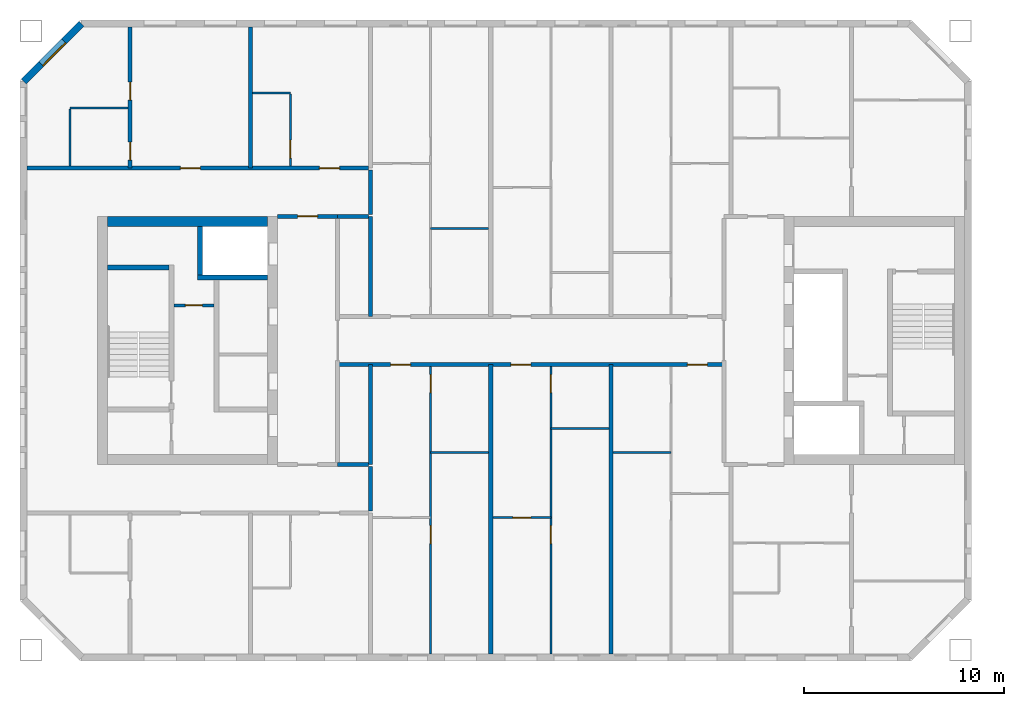
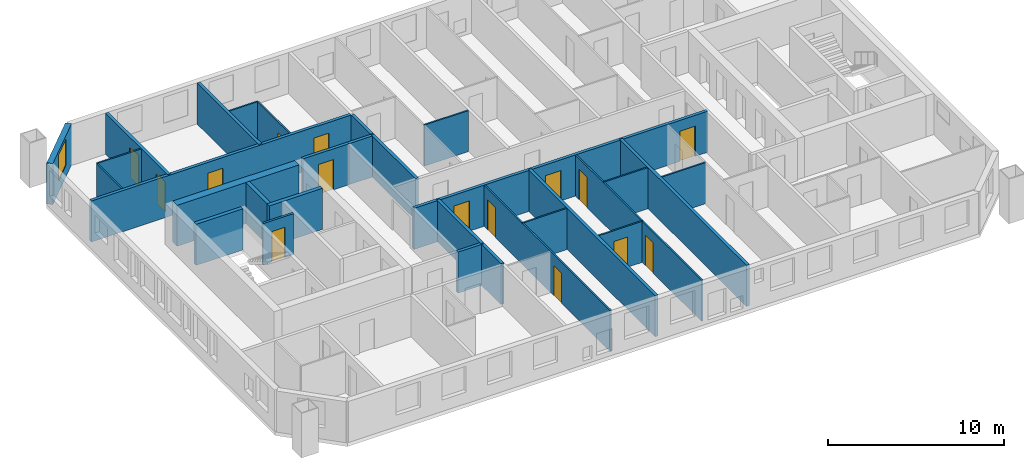
# One storey, part 4 of 15: 30 walls, 15 doors, 1 window, 16 openings.
"""IFC4 building model written with IfcOpenShell, lengths in metres."""

from ifc_helpers import new_model, si_unit, direction, frame, frame_2d, origin, place, context, subcontext, project, spatial, rectangle, extrude, material, layer, layer_set, type_object, element, fill, save


model = new_model("IFC4")

# Units and contexts
model_context = context("Model", 3, precision=1e-05, world=origin(), true_north=direction((0.0, 1.0)))
body_context = subcontext(model_context, "Body", "Model", "MODEL_VIEW")
ifc_project = project(units=[si_unit("LENGTHUNIT", "METRE"), si_unit("AREAUNIT", "SQUARE_METRE"), si_unit("VOLUMEUNIT", "CUBIC_METRE"), si_unit("PLANEANGLEUNIT", "RADIAN"), si_unit("MASSUNIT", "GRAM", prefix="KILO")], contexts=[model_context])

# Site, building, storey
site_placement = place(None, origin())
site = spatial("IfcSite", under=ifc_project, at=site_placement, CompositionType="ELEMENT")
building_placement = place(site_placement, origin())
building = spatial("IfcBuilding", under=site, at=building_placement, Name="Tuart Gate Housing", CompositionType="ELEMENT")
storey_placement = place(building_placement, frame((0.0, 0.0, 160.89990234375)))
storey = spatial("IfcBuildingStorey", under=building, at=storey_placement, Name="L45", CompositionType="ELEMENT", Elevation=160.89990234375)

# Wall, opening, window
ifc_material_1 = material(Name="Brick", Category="masonry")
ifc_layer_1 = layer(ifc_material_1, 0.360107421875)
ifc_layer_set_1 = layer_set([ifc_layer_1], Name="Brick pier and spandrel wall 360")
wall_type_1 = type_object("IfcWallType", Name="Brick pier and spandrel wall 360", PredefinedType="STANDARD", material=ifc_layer_set_1)
wall_1_placement = place(storey_placement, frame((31.57470703125, 85.820068359375, 0.0), z_axis=(0.0, 0.0, 1.0), x_axis=(-0.707106781187, -0.707106781187, 0.0)))
wall_1 = element("IfcWall", 1, at=wall_1_placement, inside=storey, type_object=wall_type_1, Name="External wall A-NW L45", PredefinedType="STANDARD", context=body_context, shape_type="SweptSolid", body=[
    extrude(rectangle(XDim=4.09375, YDim=0.360107421875, at=frame_2d((2.046875, 0.0))), origin(), (0.0, 0.0, 1.0), 2.85009765625),
])
opening_1_placement = place(wall_1_placement, frame((1.2470703125, 0.0, 0.800048828125)))
opening_1 = element("IfcOpeningElement", 2, at=opening_1_placement, cuts=wall_1, Name="Opening W1", PredefinedType="OPENING", context=body_context, shape_type="SweptSolid", body=[
    extrude(rectangle(XDim=1.60009765625, YDim=1.800048828125, at=frame_2d((0.800048828125, 0.89990234375))), frame((0.0, 0.18994140625, 0.0), z_axis=(0.0, -1.0, 0.0), x_axis=(1.0, 0.0, 0.0)), (0.0, 0.0, 1.0), 0.380126953125),
])
ifc_material_2 = material(Name="Aluminium frame with clear glass", Category="aluminium")
window_type = type_object("IfcWindowType", Name="Punched window 1600 x 1800", PartitioningType="SINGLE_PANEL", PredefinedType="WINDOW", material=ifc_material_2)
window_placement = place(opening_1_placement, origin())
window = element("IfcWindow", 3, at=window_placement, inside=storey, type_object=window_type, Name="Window W1", OverallHeight=1.800048828125, OverallWidth=1.60009765625, PartitioningType="SINGLE_PANEL", PredefinedType="WINDOW", context=body_context, shape_type="SweptSolid", body=[
    extrude(rectangle(XDim=1.60009765625, YDim=1.800048828125, at=frame_2d((0.800048828125, 0.89990234375))), frame((0.0, 0.150146484375, 0.0), z_axis=(0.0, -1.0, 0.0), x_axis=(1.0, 0.0, 0.0)), (0.0, 0.0, 1.0), 0.06005859375),
])
fill(opening_1, window)

# Wall, opening, door
ifc_material_3 = material(Name="Plasterboard partition")
ifc_layer_2 = layer(ifc_material_3, 0.14990234375)
ifc_layer_set_2 = layer_set([ifc_layer_2], Name="Core partition 150")
wall_type_2 = type_object("IfcWallType", Name="Core partition 150", PredefinedType="PARTITIONING", material=ifc_layer_set_2)
wall_2_placement = place(storey_placement, frame((38.18505859375, 71.75, 0.0), z_axis=(0.0, 0.0, 1.0), x_axis=(-1.0, 0.0, 0.0)))
wall_2 = element("IfcWall", 4, at=wall_2_placement, inside=storey, type_object=wall_type_2, Name="Core partition AK.3", PredefinedType="PARTITIONING", context=body_context, shape_type="SweptSolid", body=[
    extrude(rectangle(XDim=2.0, YDim=0.14990234375, at=frame_2d((1.0, 0.0))), origin(), (0.0, 0.0, 1.0), 2.85009765625),
])
opening_2_placement = place(wall_2_placement, frame((0.574951171875, 0.0, 0.0)))
opening_2 = element("IfcOpeningElement", 5, at=opening_2_placement, cuts=wall_2, Name="Opening D1644", PredefinedType="OPENING", context=body_context, shape_type="SweptSolid", body=[
    extrude(rectangle(XDim=0.85009765625, YDim=2.10009765625, at=frame_2d((0.425048828125, 1.050048828125))), frame((0.0, 0.0849609375, 0.0), z_axis=(0.0, -1.0, 0.0), x_axis=(1.0, 0.0, 0.0)), (0.0, 0.0, 1.0), 0.169921875),
])
ifc_material_4 = material(Name="Steel fire door", Category="steel")
door_type_1 = type_object("IfcDoorType", Name="Riser door 850 x 2100 RH", OperationType="SINGLE_SWING_RIGHT", PredefinedType="DOOR", material=ifc_material_4)
door_1_placement = place(opening_2_placement, frame((0.85009765625, 0.0, 0.0), z_axis=(0.0, 0.0, 1.0), x_axis=(-1.0, 0.0, 0.0)))
door_1 = element("IfcDoor", 6, at=door_1_placement, inside=storey, type_object=door_type_1, Name="Service room door AK.E1", OperationType="SINGLE_SWING_RIGHT", OverallHeight=2.10009765625, OverallWidth=0.85009765625, PredefinedType="DOOR", context=body_context, shape_type="SweptSolid", body=[
    extrude(rectangle(XDim=0.85009765625, YDim=2.10009765625, at=frame_2d((0.425048828125, 1.050048828125))), frame((0.0, 0.025146484375, 0.0), z_axis=(0.0, -1.0, 0.0), x_axis=(1.0, 0.0, 0.0)), (0.0, 0.0, 1.0), 0.050048828125),
])
fill(opening_2, door_1)

# Walls
ifc_material_5 = material(Name="Concrete C40", Category="concrete")
ifc_layer_3 = layer(ifc_material_5, 0.25)
ifc_layer_set_3 = layer_set([ifc_layer_3], Name="Core wall 250 C40")
wall_type_3 = type_object("IfcWallType", Name="Core wall 250 C40", PredefinedType="SHEAR", material=ifc_layer_set_3)
wall_3_placement = place(storey_placement, frame((35.93505859375, 73.64990234375, 0.0), z_axis=(0.0, 0.0, 1.0), x_axis=(-1.0, 0.0, 0.0)))
element("IfcWall", 7, at=wall_3_placement, inside=storey, type_object=wall_type_3, Name="Core wall AK.1", PredefinedType="SHEAR", context=body_context, shape_type="SweptSolid", body=[
    extrude(rectangle(XDim=3.074951171875, YDim=0.25, at=frame_2d((1.53759765625, 0.0))), origin(), (0.0, 0.0, 1.0), 2.85009765625),
])
wall_4_placement = place(storey_placement, frame((40.860107421875, 73.14990234375, 0.0), z_axis=(0.0, 0.0, 1.0), x_axis=(-1.0, 0.0, 0.0)))
element("IfcWall", 8, at=wall_4_placement, inside=storey, type_object=wall_type_3, Name="Core wall AK.2", PredefinedType="SHEAR", context=body_context, shape_type="SweptSolid", body=[
    extrude(rectangle(XDim=3.4951171875, YDim=0.25, at=frame_2d((1.74755859375, 0.0))), origin(), (0.0, 0.0, 1.0), 2.85009765625),
])
wall_5_placement = place(storey_placement, frame((37.489990234375, 75.699951171875, 0.0), z_axis=(0.0, 0.0, 1.0), x_axis=(0.0, -1.0, 0.0)))
element("IfcWall", 9, at=wall_5_placement, inside=storey, type_object=wall_type_3, Name="Core wall AK.8", PredefinedType="SHEAR", context=body_context, shape_type="SweptSolid", body=[
    extrude(rectangle(XDim=2.425048828125, YDim=0.25, at=frame_2d((1.21240234375, 0.0))), origin(), (0.0, 0.0, 1.0), 2.85009765625),
])
ifc_material_6 = material(Name="Concrete C40", Category="concrete")
ifc_layer_4 = layer(ifc_material_6, 0.5)
ifc_layer_set_4 = layer_set([ifc_layer_4], Name="Core wall 500 C40")
wall_type_4 = type_object("IfcWallType", Name="Core wall 500 C40", PredefinedType="SHEAR", material=ifc_layer_set_4)
wall_6_placement = place(storey_placement, frame((40.860107421875, 75.949951171875, 0.0), z_axis=(0.0, 0.0, 1.0), x_axis=(-1.0, 0.0, 0.0)))
element("IfcWall", 10, at=wall_6_placement, inside=storey, type_object=wall_type_4, Name="Core wall AK south", PredefinedType="SHEAR", context=body_context, shape_type="SweptSolid", body=[
    extrude(rectangle(XDim=8.0, YDim=0.5, at=frame_2d((4.0, 0.0))), origin(), (0.0, 0.0, 1.0), 2.85009765625),
])
ifc_material_7 = material(Name="Concrete masonry 15 MPa", Category="masonry")
ifc_layer_5 = layer(ifc_material_7, 0.199951171875)
ifc_layer_set_5 = layer_set([ifc_layer_5], Name="Corridor wall masonry 200")
wall_type_5 = type_object("IfcWallType", Name="Corridor wall masonry 200", PredefinedType="PARTITIONING", material=ifc_layer_set_5)
wall_7_placement = place(storey_placement, frame((44.360107421875, 63.800048828125, 0.0), z_axis=(0.0, 0.0, 1.0), x_axis=(1.0, 0.0, 0.0)))
element("IfcWall", 11, at=wall_7_placement, inside=storey, type_object=wall_type_5, Name="Corridor wall masonry 200", PredefinedType="PARTITIONING", context=body_context, shape_type="SweptSolid", body=[
    extrude(rectangle(XDim=1.539794921875, YDim=0.199951171875, at=frame_2d((0.77001953125, 0.0))), origin(), (0.0, 0.0, 1.0), 2.85009765625),
])

# Wall, openings, doors
wall_8_placement = place(storey_placement, frame((44.360107421875, 68.800048828125, 0.0), z_axis=(0.0, 0.0, 1.0), x_axis=(1.0, 0.0, 0.0)))
wall_8 = element("IfcWall", 12, at=wall_8_placement, inside=storey, type_object=wall_type_5, Name="Corridor wall masonry 200", PredefinedType="PARTITIONING", context=body_context, shape_type="SweptSolid", body=[
    extrude(rectangle(XDim=19.27978515625, YDim=0.199951171875, at=frame_2d((9.639892578125, 0.0))), origin(), (0.0, 0.0, 1.0), 2.85009765625),
])
opening_3_placement = place(wall_8_placement, frame((17.4599609375, 0.0, 0.0)))
opening_3 = element("IfcOpeningElement", 13, at=opening_3_placement, cuts=wall_8, Name="Opening D1655", PredefinedType="OPENING", context=body_context, shape_type="SweptSolid", body=[
    extrude(rectangle(XDim=1.0, YDim=2.10009765625, at=frame_2d((0.5, 1.050048828125))), frame((0.0, 0.10986328125, 0.0), z_axis=(0.0, -1.0, 0.0), x_axis=(1.0, 0.0, 0.0)), (0.0, 0.0, 1.0), 0.219970703125),
])
opening_4_placement = place(wall_8_placement, frame((8.639892578125, 0.0, 0.0)))
opening_4 = element("IfcOpeningElement", 14, at=opening_4_placement, cuts=wall_8, Name="Opening D1656", PredefinedType="OPENING", context=body_context, shape_type="SweptSolid", body=[
    extrude(rectangle(XDim=1.0, YDim=2.10009765625, at=frame_2d((0.5, 1.050048828125))), frame((0.0, 0.10986328125, 0.0), z_axis=(0.0, -1.0, 0.0), x_axis=(1.0, 0.0, 0.0)), (0.0, 0.0, 1.0), 0.219970703125),
])
opening_5_placement = place(wall_8_placement, frame((2.639892578125, 0.0, 0.0)))
opening_5 = element("IfcOpeningElement", 15, at=opening_5_placement, cuts=wall_8, Name="Opening D1657", PredefinedType="OPENING", context=body_context, shape_type="SweptSolid", body=[
    extrude(rectangle(XDim=1.0, YDim=2.10009765625, at=frame_2d((0.5, 1.050048828125))), frame((0.0, 0.10986328125, 0.0), z_axis=(0.0, -1.0, 0.0), x_axis=(1.0, 0.0, 0.0)), (0.0, 0.0, 1.0), 0.219970703125),
])
ifc_material_8 = material(Name="Timber door leaf in steel frame", Category="steel")
door_type_2 = type_object("IfcDoorType", Name="Flat entrance door 1000 RH", OperationType="SINGLE_SWING_RIGHT", PredefinedType="DOOR", material=ifc_material_8)
door_2_placement = place(opening_3_placement, frame((1.0, 0.0, 0.0), z_axis=(0.0, 0.0, 1.0), x_axis=(-1.0, 0.0, 0.0)))
door_2 = element("IfcDoor", 16, at=door_2_placement, inside=storey, type_object=door_type_2, Name="Flat entrance door", OperationType="SINGLE_SWING_RIGHT", OverallHeight=2.10009765625, OverallWidth=1.0, PredefinedType="DOOR", context=body_context, shape_type="SweptSolid", body=[
    extrude(rectangle(XDim=1.0, YDim=2.10009765625, at=frame_2d((0.5, 1.050048828125))), frame((0.0, 0.025146484375, 0.0), z_axis=(0.0, -1.0, 0.0), x_axis=(1.0, 0.0, 0.0)), (0.0, 0.0, 1.0), 0.050048828125),
])
fill(opening_3, door_2)
door_3_placement = place(opening_4_placement, frame((1.0, 0.0, 0.0), z_axis=(0.0, 0.0, 1.0), x_axis=(-1.0, 0.0, 0.0)))
door_3 = element("IfcDoor", 17, at=door_3_placement, inside=storey, type_object=door_type_2, Name="Flat entrance door", OperationType="SINGLE_SWING_RIGHT", OverallHeight=2.10009765625, OverallWidth=1.0, PredefinedType="DOOR", context=body_context, shape_type="SweptSolid", body=[
    extrude(rectangle(XDim=1.0, YDim=2.10009765625, at=frame_2d((0.5, 1.050048828125))), frame((0.0, 0.025146484375, 0.0), z_axis=(0.0, -1.0, 0.0), x_axis=(1.0, 0.0, 0.0)), (0.0, 0.0, 1.0), 0.050048828125),
])
fill(opening_4, door_3)
door_4_placement = place(opening_5_placement, frame((1.0, 0.0, 0.0), z_axis=(0.0, 0.0, 1.0), x_axis=(-1.0, 0.0, 0.0)))
door_4 = element("IfcDoor", 18, at=door_4_placement, inside=storey, type_object=door_type_2, Name="Flat entrance door", OperationType="SINGLE_SWING_RIGHT", OverallHeight=2.10009765625, OverallWidth=1.0, PredefinedType="DOOR", context=body_context, shape_type="SweptSolid", body=[
    extrude(rectangle(XDim=1.0, YDim=2.10009765625, at=frame_2d((0.5, 1.050048828125))), frame((0.0, 0.025146484375, 0.0), z_axis=(0.0, -1.0, 0.0), x_axis=(1.0, 0.0, 0.0)), (0.0, 0.0, 1.0), 0.050048828125),
])
fill(opening_5, door_4)

# Wall
wall_9_placement = place(storey_placement, frame((44.360107421875, 76.199951171875, 0.0), z_axis=(0.0, 0.0, 1.0), x_axis=(1.0, 0.0, 0.0)))
element("IfcWall", 19, at=wall_9_placement, inside=storey, type_object=wall_type_5, Name="Corridor wall masonry 200", PredefinedType="PARTITIONING", context=body_context, shape_type="SweptSolid", body=[
    extrude(rectangle(XDim=1.539794921875, YDim=0.199951171875, at=frame_2d((0.77001953125, 0.0))), origin(), (0.0, 0.0, 1.0), 2.85009765625),
])

# Wall, openings, doors
wall_10_placement = place(storey_placement, frame((28.860107421875, 78.60009765625, 0.0), z_axis=(0.0, 0.0, 1.0), x_axis=(1.0, 0.0, 0.0)))
wall_10 = element("IfcWall", 20, at=wall_10_placement, inside=storey, type_object=wall_type_5, Name="Corridor wall masonry 200", PredefinedType="PARTITIONING", context=body_context, shape_type="SweptSolid", body=[
    extrude(rectangle(XDim=17.039794921875, YDim=0.199951171875, at=frame_2d((8.52001953125, 0.0))), origin(), (0.0, 0.0, 1.0), 2.85009765625),
])
opening_6_placement = place(wall_10_placement, frame((14.590087890625, 0.0, 0.0)))
opening_6 = element("IfcOpeningElement", 21, at=opening_6_placement, cuts=wall_10, Name="Opening D1632", PredefinedType="OPENING", context=body_context, shape_type="SweptSolid", body=[
    extrude(rectangle(XDim=1.0, YDim=2.10009765625, at=frame_2d((0.5, 1.050048828125))), frame((0.0, 0.10986328125, 0.0), z_axis=(0.0, -1.0, 0.0), x_axis=(1.0, 0.0, 0.0)), (0.0, 0.0, 1.0), 0.219970703125),
])
opening_7_placement = place(wall_10_placement, frame((7.639892578125, 0.0, 0.0)))
opening_7 = element("IfcOpeningElement", 22, at=opening_7_placement, cuts=wall_10, Name="Opening D1633", PredefinedType="OPENING", context=body_context, shape_type="SweptSolid", body=[
    extrude(rectangle(XDim=1.0, YDim=2.10009765625, at=frame_2d((0.5, 1.050048828125))), frame((0.0, 0.10986328125, 0.0), z_axis=(0.0, -1.0, 0.0), x_axis=(1.0, 0.0, 0.0)), (0.0, 0.0, 1.0), 0.219970703125),
])
ifc_material_9 = material(Name="Timber door leaf in steel frame", Category="steel")
door_type_3 = type_object("IfcDoorType", Name="Flat entrance door 1000", OperationType="SINGLE_SWING_LEFT", PredefinedType="DOOR", material=ifc_material_9)
door_5_placement = place(opening_6_placement, origin())
door_5 = element("IfcDoor", 23, at=door_5_placement, inside=storey, type_object=door_type_3, Name="Flat entrance door", OperationType="SINGLE_SWING_LEFT", OverallHeight=2.10009765625, OverallWidth=1.0, PredefinedType="DOOR", context=body_context, shape_type="SweptSolid", body=[
    extrude(rectangle(XDim=1.0, YDim=2.10009765625, at=frame_2d((0.5, 1.050048828125))), frame((0.0, 0.02490234375, 0.0), z_axis=(0.0, -1.0, 0.0), x_axis=(1.0, 0.0, 0.0)), (0.0, 0.0, 1.0), 0.050048828125),
])
fill(opening_6, door_5)
door_6_placement = place(opening_7_placement, origin())
door_6 = element("IfcDoor", 24, at=door_6_placement, inside=storey, type_object=door_type_3, Name="Flat entrance door", OperationType="SINGLE_SWING_LEFT", OverallHeight=2.10009765625, OverallWidth=1.0, PredefinedType="DOOR", context=body_context, shape_type="SweptSolid", body=[
    extrude(rectangle(XDim=1.0, YDim=2.10009765625, at=frame_2d((0.5, 1.050048828125))), frame((0.0, 0.02490234375, 0.0), z_axis=(0.0, -1.0, 0.0), x_axis=(1.0, 0.0, 0.0)), (0.0, 0.0, 1.0), 0.050048828125),
])
fill(opening_7, door_6)

# Walls
for number, where, z_axis, x_axis, name in (
    (25, (46.0, 61.5, 0.0), (0.0, 0.0, 1.0), (0.0, 1.0, 0.0), "Corridor wall masonry 200"),
    (26, (46.0, 76.300048828125, 0.0), (0.0, 0.0, 1.0), (0.0, 1.0, 0.0), "Corridor wall masonry 200"),
):
    element("IfcWall", number, at=place(storey_placement, frame(where, z_axis=z_axis, x_axis=x_axis)), inside=storey, type_object=wall_type_5, Name=name, PredefinedType="PARTITIONING", context=body_context, shape_type="SweptSolid", body=[
        extrude(rectangle(XDim=2.199951171875, YDim=0.199951171875, at=frame_2d((1.10009765625, 0.0))), origin(), (0.0, 0.0, 1.0), 2.85009765625),
    ])

# Wall, opening, door
ifc_material_10 = material(Name="Concrete masonry 15 MPa", Category="masonry")
ifc_layer_6 = layer(ifc_material_10, 0.199951171875)
ifc_layer_set_6 = layer_set([ifc_layer_6], Name="Enclosure wall masonry 200")
wall_type_6 = type_object("IfcWallType", Name="Enclosure wall masonry 200", PredefinedType="PARTITIONING", material=ifc_layer_set_6)
wall_11_placement = place(storey_placement, frame((41.360107421875, 76.199951171875, 0.0), z_axis=(0.0, 0.0, 1.0), x_axis=(1.0, 0.0, 0.0)))
wall_11 = element("IfcWall", 27, at=wall_11_placement, inside=storey, type_object=wall_type_6, Name="Enclosure wall masonry 200", PredefinedType="PARTITIONING", context=body_context, shape_type="SweptSolid", body=[
    extrude(rectangle(XDim=3.0, YDim=0.199951171875, at=frame_2d((1.5, 0.0))), origin(), (0.0, 0.0, 1.0), 2.85009765625),
])
opening_8_placement = place(wall_11_placement, frame((1.0, 0.0, 0.0)))
opening_8 = element("IfcOpeningElement", 28, at=opening_8_placement, cuts=wall_11, Name="Opening D1641", PredefinedType="OPENING", context=body_context, shape_type="SweptSolid", body=[
    extrude(rectangle(XDim=1.0, YDim=2.10009765625, at=frame_2d((0.5, 1.050048828125))), frame((0.0, 0.10986328125, 0.0), z_axis=(0.0, -1.0, 0.0), x_axis=(1.0, 0.0, 0.0)), (0.0, 0.0, 1.0), 0.219970703125),
])
ifc_material_11 = material(Name="Timber door leaf in steel frame", Category="steel")
door_type_4 = type_object("IfcDoorType", Name="Fire door 1000 RH", OperationType="SINGLE_SWING_RIGHT", PredefinedType="DOOR", material=ifc_material_11)
door_7_placement = place(opening_8_placement, origin())
door_7 = element("IfcDoor", 29, at=door_7_placement, inside=storey, type_object=door_type_4, Name="Fire door", OperationType="SINGLE_SWING_RIGHT", OverallHeight=2.10009765625, OverallWidth=1.0, PredefinedType="DOOR", context=body_context, shape_type="SweptSolid", body=[
    extrude(rectangle(XDim=1.0, YDim=2.10009765625, at=frame_2d((0.5, 1.050048828125))), frame((0.0, 0.02490234375, 0.0), z_axis=(0.0, -1.0, 0.0), x_axis=(1.0, 0.0, 0.0)), (0.0, 0.0, 1.0), 0.050048828125),
])
fill(opening_8, door_7)

ifc_material_12 = material(Name="Gypsum board on steel studs", Category="steel")
ifc_layer_7 = layer(ifc_material_12, 0.10009765625)
ifc_layer_set_7 = layer_set([ifc_layer_7], Name="Partition 100")
wall_type_7 = type_object("IfcWallType", Name="Partition 100", PredefinedType="PARTITIONING", material=ifc_layer_set_7)
wall_12_placement = place(storey_placement, frame((52.10009765625, 61.159912109375, 0.0), z_axis=(0.0, 0.0, 1.0), x_axis=(1.0, 0.0, 0.0)))
wall_12 = element("IfcWall", 30, at=wall_12_placement, inside=storey, type_object=wall_type_7, Name="Partition 100", PredefinedType="PARTITIONING", context=body_context, shape_type="SweptSolid", body=[
    extrude(rectangle(XDim=2.89990234375, YDim=0.10009765625, at=frame_2d((1.449951171875, 0.0))), origin(), (0.0, 0.0, 1.0), 2.85009765625),
])
opening_9_placement = place(wall_12_placement, frame((1.0, 0.0, 0.0)))
opening_9 = element("IfcOpeningElement", 31, at=opening_9_placement, cuts=wall_12, Name="Opening D1673", PredefinedType="OPENING", context=body_context, shape_type="SweptSolid", body=[
    extrude(rectangle(XDim=0.89990234375, YDim=2.10009765625, at=frame_2d((0.449951171875, 1.050048828125))), frame((0.0, 0.06005859375, 0.0), z_axis=(0.0, -1.0, 0.0), x_axis=(1.0, 0.0, 0.0)), (0.0, 0.0, 1.0), 0.1201171875),
])
ifc_material_13 = material(Name="Timber door leaf in steel frame", Category="steel")
door_type_5 = type_object("IfcDoorType", Name="Internal door 900 RH", OperationType="SINGLE_SWING_RIGHT", PredefinedType="DOOR", material=ifc_material_13)
door_8_placement = place(opening_9_placement, origin())
door_8 = element("IfcDoor", 32, at=door_8_placement, inside=storey, type_object=door_type_5, Name="Internal door", OperationType="SINGLE_SWING_RIGHT", OverallHeight=2.10009765625, OverallWidth=0.89990234375, PredefinedType="DOOR", context=body_context, shape_type="SweptSolid", body=[
    extrude(rectangle(XDim=0.89990234375, YDim=2.10009765625, at=frame_2d((0.449951171875, 1.050048828125))), frame((0.0, 0.02490234375, 0.0), z_axis=(0.0, -1.0, 0.0), x_axis=(1.0, 0.0, 0.0)), (0.0, 0.0, 1.0), 0.050048828125),
])
fill(opening_9, door_8)

# Walls
for number, where, z_axis, x_axis, name in (
    (33, (49.0, 64.39990234375, 0.0), (0.0, 0.0, 1.0), (1.0, 0.0, 0.0), "Partition 100"),
    (34, (58.10009765625, 64.39990234375, 0.0), (0.0, 0.0, 1.0), (1.0, 0.0, 0.0), "Partition 100"),
    (35, (55.0, 65.60009765625, 0.0), (0.0, 0.0, 1.0), (1.0, 0.0, 0.0), "Partition 100"),
    (36, (49.0, 75.60009765625, 0.0), (0.0, 0.0, 1.0), (1.0, 0.0, 0.0), "Partition 100"),
    (37, (31.0, 81.60009765625, 0.0), (0.0, 0.0, 1.0), (1.0, 0.0, 0.0), "Partition 100"),
):
    element("IfcWall", number, at=place(storey_placement, frame(where, z_axis=z_axis, x_axis=x_axis)), inside=storey, type_object=wall_type_7, Name=name, PredefinedType="PARTITIONING", context=body_context, shape_type="SweptSolid", body=[
        extrude(rectangle(XDim=2.89990234375, YDim=0.10009765625, at=frame_2d((1.449951171875, 0.0))), origin(), (0.0, 0.0, 1.0), 2.85009765625),
    ])
wall_13_placement = place(storey_placement, frame((40.10009765625, 82.35009765625, 0.0), z_axis=(0.0, 0.0, 1.0), x_axis=(1.0, 0.0, 0.0)))
element("IfcWall", 38, at=wall_13_placement, inside=storey, type_object=wall_type_7, Name="Partition 100", PredefinedType="PARTITIONING", context=body_context, shape_type="SweptSolid", body=[
    extrude(rectangle(XDim=1.89990234375, YDim=0.10009765625, at=frame_2d((0.949951171875, 0.0))), origin(), (0.0, 0.0, 1.0), 2.85009765625),
])
wall_14_placement = place(storey_placement, frame((31.0, 78.699951171875, 0.0), z_axis=(0.0, 0.0, 1.0), x_axis=(0.0, 1.0, 0.0)))
element("IfcWall", 39, at=wall_14_placement, inside=storey, type_object=wall_type_7, Name="Partition 100", PredefinedType="PARTITIONING", context=body_context, shape_type="SweptSolid", body=[
    extrude(rectangle(XDim=2.85009765625, YDim=0.10009765625, at=frame_2d((1.425048828125, 0.0))), origin(), (0.0, 0.0, 1.0), 2.85009765625),
])

# Wall, opening, door
wall_15_placement = place(storey_placement, frame((42.0, 78.699951171875, 0.0), z_axis=(0.0, 0.0, 1.0), x_axis=(0.0, 1.0, 0.0)))
wall_15 = element("IfcWall", 40, at=wall_15_placement, inside=storey, type_object=wall_type_7, Name="Partition 100", PredefinedType="PARTITIONING", context=body_context, shape_type="SweptSolid", body=[
    extrude(rectangle(XDim=3.60009765625, YDim=0.10009765625, at=frame_2d((1.800048828125, 0.0))), origin(), (0.0, 0.0, 1.0), 2.85009765625),
])
opening_10_placement = place(wall_15_placement, frame((0.39990234375, 0.0, 0.0)))
opening_10 = element("IfcOpeningElement", 41, at=opening_10_placement, cuts=wall_15, Name="Opening D1627", PredefinedType="OPENING", context=body_context, shape_type="SweptSolid", body=[
    extrude(rectangle(XDim=0.89990234375, YDim=2.10009765625, at=frame_2d((0.449951171875, 1.050048828125))), frame((0.0, 0.06005859375, 0.0), z_axis=(0.0, -1.0, 0.0), x_axis=(1.0, 0.0, 0.0)), (0.0, 0.0, 1.0), 0.1201171875),
])
ifc_material_14 = material(Name="Timber door leaf in steel frame", Category="steel")
door_type_6 = type_object("IfcDoorType", Name="Bathroom door 900", OperationType="SINGLE_SWING_LEFT", PredefinedType="DOOR", material=ifc_material_14)
door_9_placement = place(opening_10_placement, origin())
door_9 = element("IfcDoor", 42, at=door_9_placement, inside=storey, type_object=door_type_6, Name="Bathroom door", OperationType="SINGLE_SWING_LEFT", OverallHeight=2.10009765625, OverallWidth=0.89990234375, PredefinedType="DOOR", context=body_context, shape_type="SweptSolid", body=[
    extrude(rectangle(XDim=0.89990234375, YDim=2.10009765625, at=frame_2d((0.449951171875, 1.050048828125))), frame((0.0, 0.02490234375, 0.0), z_axis=(0.0, -1.0, 0.0), x_axis=(1.0, 0.0, 0.0)), (0.0, 0.0, 1.0), 0.050048828125),
])
fill(opening_10, door_9)

# Wall, openings, doors
wall_16_placement = place(storey_placement, frame((49.0, 54.360107421875, 0.0), z_axis=(0.0, 0.0, 1.0), x_axis=(0.0, 1.0, 0.0)))
wall_16 = element("IfcWall", 43, at=wall_16_placement, inside=storey, type_object=wall_type_7, Name="Partition 100", PredefinedType="PARTITIONING", context=body_context, shape_type="SweptSolid", body=[
    extrude(rectangle(XDim=14.33984375, YDim=0.10009765625, at=frame_2d((7.169921875, 0.0))), origin(), (0.0, 0.0, 1.0), 2.85009765625),
])
opening_11_placement = place(wall_16_placement, frame((5.5, 0.0, 0.0)))
opening_11 = element("IfcOpeningElement", 44, at=opening_11_placement, cuts=wall_16, Name="Opening D1665", PredefinedType="OPENING", context=body_context, shape_type="SweptSolid", body=[
    extrude(rectangle(XDim=0.89990234375, YDim=2.10009765625, at=frame_2d((0.449951171875, 1.050048828125))), frame((0.0, 0.06005859375, 0.0), z_axis=(0.0, -1.0, 0.0), x_axis=(1.0, 0.0, 0.0)), (0.0, 0.0, 1.0), 0.1201171875),
])
opening_12_placement = place(wall_16_placement, frame((13.0400390625, 0.0, 0.0)))
opening_12 = element("IfcOpeningElement", 45, at=opening_12_placement, cuts=wall_16, Name="Opening D1664", PredefinedType="OPENING", context=body_context, shape_type="SweptSolid", body=[
    extrude(rectangle(XDim=0.89990234375, YDim=2.10009765625, at=frame_2d((0.449951171875, 1.050048828125))), frame((0.0, 0.06005859375, 0.0), z_axis=(0.0, -1.0, 0.0), x_axis=(1.0, 0.0, 0.0)), (0.0, 0.0, 1.0), 0.1201171875),
])
door_10_placement = place(opening_12_placement, frame((0.89990234375, 0.0, 0.0), z_axis=(0.0, 0.0, 1.0), x_axis=(-1.0, 0.0, 0.0)))
door_10 = element("IfcDoor", 46, at=door_10_placement, inside=storey, type_object=door_type_6, Name="Bathroom door", OperationType="SINGLE_SWING_LEFT", OverallHeight=2.10009765625, OverallWidth=0.89990234375, PredefinedType="DOOR", context=body_context, shape_type="SweptSolid", body=[
    extrude(rectangle(XDim=0.89990234375, YDim=2.10009765625, at=frame_2d((0.449951171875, 1.050048828125))), frame((0.0, 0.025146484375, 0.0), z_axis=(0.0, -1.0, 0.0), x_axis=(1.0, 0.0, 0.0)), (0.0, 0.0, 1.0), 0.050048828125),
])
fill(opening_12, door_10)
ifc_material_15 = material(Name="Timber door leaf in steel frame", Category="steel")
door_type_7 = type_object("IfcDoorType", Name="Internal door 900", OperationType="SINGLE_SWING_LEFT", PredefinedType="DOOR", material=ifc_material_15)
door_11_placement = place(opening_11_placement, frame((0.89990234375, 0.0, 0.0), z_axis=(0.0, 0.0, 1.0), x_axis=(-1.0, 0.0, 0.0)))
door_11 = element("IfcDoor", 47, at=door_11_placement, inside=storey, type_object=door_type_7, Name="Internal door", OperationType="SINGLE_SWING_LEFT", OverallHeight=2.10009765625, OverallWidth=0.89990234375, PredefinedType="DOOR", context=body_context, shape_type="SweptSolid", body=[
    extrude(rectangle(XDim=0.89990234375, YDim=2.10009765625, at=frame_2d((0.449951171875, 1.050048828125))), frame((0.0, 0.025146484375, 0.0), z_axis=(0.0, -1.0, 0.0), x_axis=(1.0, 0.0, 0.0)), (0.0, 0.0, 1.0), 0.050048828125),
])
fill(opening_11, door_11)

wall_17_placement = place(storey_placement, frame((55.0, 54.360107421875, 0.0), z_axis=(0.0, 0.0, 1.0), x_axis=(0.0, 1.0, 0.0)))
wall_17 = element("IfcWall", 48, at=wall_17_placement, inside=storey, type_object=wall_type_7, Name="Partition 100", PredefinedType="PARTITIONING", context=body_context, shape_type="SweptSolid", body=[
    extrude(rectangle(XDim=14.33984375, YDim=0.10009765625, at=frame_2d((7.169921875, 0.0))), origin(), (0.0, 0.0, 1.0), 2.85009765625),
])
opening_13_placement = place(wall_17_placement, frame((5.5, 0.0, 0.0)))
opening_13 = element("IfcOpeningElement", 49, at=opening_13_placement, cuts=wall_17, Name="Opening D1667", PredefinedType="OPENING", context=body_context, shape_type="SweptSolid", body=[
    extrude(rectangle(XDim=0.89990234375, YDim=2.10009765625, at=frame_2d((0.449951171875, 1.050048828125))), frame((0.0, 0.06005859375, 0.0), z_axis=(0.0, -1.0, 0.0), x_axis=(1.0, 0.0, 0.0)), (0.0, 0.0, 1.0), 0.1201171875),
])
opening_14_placement = place(wall_17_placement, frame((13.0400390625, 0.0, 0.0)))
opening_14 = element("IfcOpeningElement", 50, at=opening_14_placement, cuts=wall_17, Name="Opening D1666", PredefinedType="OPENING", context=body_context, shape_type="SweptSolid", body=[
    extrude(rectangle(XDim=0.89990234375, YDim=2.10009765625, at=frame_2d((0.449951171875, 1.050048828125))), frame((0.0, 0.06005859375, 0.0), z_axis=(0.0, -1.0, 0.0), x_axis=(1.0, 0.0, 0.0)), (0.0, 0.0, 1.0), 0.1201171875),
])
door_12_placement = place(opening_14_placement, frame((0.89990234375, 0.0, 0.0), z_axis=(0.0, 0.0, 1.0), x_axis=(-1.0, 0.0, 0.0)))
door_12 = element("IfcDoor", 51, at=door_12_placement, inside=storey, type_object=door_type_6, Name="Bathroom door", OperationType="SINGLE_SWING_LEFT", OverallHeight=2.10009765625, OverallWidth=0.89990234375, PredefinedType="DOOR", context=body_context, shape_type="SweptSolid", body=[
    extrude(rectangle(XDim=0.89990234375, YDim=2.10009765625, at=frame_2d((0.449951171875, 1.050048828125))), frame((0.0, 0.025146484375, 0.0), z_axis=(0.0, -1.0, 0.0), x_axis=(1.0, 0.0, 0.0)), (0.0, 0.0, 1.0), 0.050048828125),
])
fill(opening_14, door_12)
door_13_placement = place(opening_13_placement, frame((0.89990234375, 0.0, 0.0), z_axis=(0.0, 0.0, 1.0), x_axis=(-1.0, 0.0, 0.0)))
door_13 = element("IfcDoor", 52, at=door_13_placement, inside=storey, type_object=door_type_7, Name="Internal door", OperationType="SINGLE_SWING_LEFT", OverallHeight=2.10009765625, OverallWidth=0.89990234375, PredefinedType="DOOR", context=body_context, shape_type="SweptSolid", body=[
    extrude(rectangle(XDim=0.89990234375, YDim=2.10009765625, at=frame_2d((0.449951171875, 1.050048828125))), frame((0.0, 0.025146484375, 0.0), z_axis=(0.0, -1.0, 0.0), x_axis=(1.0, 0.0, 0.0)), (0.0, 0.0, 1.0), 0.050048828125),
])
fill(opening_13, door_13)

ifc_material_16 = material(Name="Concrete C40", Category="concrete")
ifc_layer_8 = layer(ifc_material_16, 0.199951171875)
ifc_layer_set_8 = layer_set([ifc_layer_8], Name="Party wall concrete C40 200")
wall_type_8 = type_object("IfcWallType", Name="Party wall concrete C40 200", PredefinedType="SOLIDWALL", material=ifc_layer_set_8)
wall_18_placement = place(storey_placement, frame((34.0, 78.60009765625, 0.0), z_axis=(0.0, 0.0, 1.0), x_axis=(0.0, 1.0, 0.0)))
wall_18 = element("IfcWall", 53, at=wall_18_placement, inside=storey, type_object=wall_type_8, Name="Party wall concrete C40 200", PredefinedType="SOLIDWALL", context=body_context, shape_type="SweptSolid", body=[
    extrude(rectangle(XDim=7.039794921875, YDim=0.199951171875, at=frame_2d((3.52001953125, 0.0))), origin(), (0.0, 0.0, 1.0), 2.85009765625),
])
opening_15_placement = place(wall_18_placement, frame((3.39990234375, 0.0, 0.0)))
opening_15 = element("IfcOpeningElement", 54, at=opening_15_placement, cuts=wall_18, Name="Opening D1624", PredefinedType="OPENING", context=body_context, shape_type="SweptSolid", body=[
    extrude(rectangle(XDim=0.89990234375, YDim=2.10009765625, at=frame_2d((0.449951171875, 1.050048828125))), frame((0.0, 0.10986328125, 0.0), z_axis=(0.0, -1.0, 0.0), x_axis=(1.0, 0.0, 0.0)), (0.0, 0.0, 1.0), 0.219970703125),
])
opening_16_placement = place(wall_18_placement, frame((0.39990234375, 0.0, 0.0)))
opening_16 = element("IfcOpeningElement", 55, at=opening_16_placement, cuts=wall_18, Name="Opening D1623", PredefinedType="OPENING", context=body_context, shape_type="SweptSolid", body=[
    extrude(rectangle(XDim=0.89990234375, YDim=2.10009765625, at=frame_2d((0.449951171875, 1.050048828125))), frame((0.0, 0.10986328125, 0.0), z_axis=(0.0, -1.0, 0.0), x_axis=(1.0, 0.0, 0.0)), (0.0, 0.0, 1.0), 0.219970703125),
])
door_14_placement = place(opening_16_placement, origin())
door_14 = element("IfcDoor", 56, at=door_14_placement, inside=storey, type_object=door_type_6, Name="Bathroom door", OperationType="SINGLE_SWING_LEFT", OverallHeight=2.10009765625, OverallWidth=0.89990234375, PredefinedType="DOOR", context=body_context, shape_type="SweptSolid", body=[
    extrude(rectangle(XDim=0.89990234375, YDim=2.10009765625, at=frame_2d((0.449951171875, 1.050048828125))), frame((0.0, 0.02490234375, 0.0), z_axis=(0.0, -1.0, 0.0), x_axis=(1.0, 0.0, 0.0)), (0.0, 0.0, 1.0), 0.050048828125),
])
fill(opening_16, door_14)
door_15_placement = place(opening_15_placement, origin())
door_15 = element("IfcDoor", 57, at=door_15_placement, inside=storey, type_object=door_type_7, Name="Internal door", OperationType="SINGLE_SWING_LEFT", OverallHeight=2.10009765625, OverallWidth=0.89990234375, PredefinedType="DOOR", context=body_context, shape_type="SweptSolid", body=[
    extrude(rectangle(XDim=0.89990234375, YDim=2.10009765625, at=frame_2d((0.449951171875, 1.050048828125))), frame((0.0, 0.02490234375, 0.0), z_axis=(0.0, -1.0, 0.0), x_axis=(1.0, 0.0, 0.0)), (0.0, 0.0, 1.0), 0.050048828125),
])
fill(opening_15, door_15)

# Walls
wall_19_placement = place(storey_placement, frame((40.0, 78.60009765625, 0.0), z_axis=(0.0, 0.0, 1.0), x_axis=(0.0, 1.0, 0.0)))
element("IfcWall", 58, at=wall_19_placement, inside=storey, type_object=wall_type_8, Name="Party wall concrete C40 200", PredefinedType="SOLIDWALL", context=body_context, shape_type="SweptSolid", body=[
    extrude(rectangle(XDim=7.039794921875, YDim=0.199951171875, at=frame_2d((3.52001953125, 0.0))), origin(), (0.0, 0.0, 1.0), 2.85009765625),
])
for number, where, z_axis, x_axis, name in (
    (59, (46.0, 63.800048828125, 0.0), (0.0, 0.0, 1.0), (0.0, 1.0, 0.0), "Party wall concrete C40 200"),
    (60, (46.0, 71.199951171875, 0.0), (0.0, 0.0, 1.0), (0.0, 1.0, 0.0), "Party wall concrete C40 200"),
):
    element("IfcWall", number, at=place(storey_placement, frame(where, z_axis=z_axis, x_axis=x_axis)), inside=storey, type_object=wall_type_8, Name=name, PredefinedType="SOLIDWALL", context=body_context, shape_type="SweptSolid", body=[
        extrude(rectangle(XDim=5.0, YDim=0.199951171875, at=frame_2d((2.5, 0.0))), origin(), (0.0, 0.0, 1.0), 2.85009765625),
    ])
for number, where, z_axis, x_axis, name in (
    (61, (52.0, 54.360107421875, 0.0), (0.0, 0.0, 1.0), (0.0, 1.0, 0.0), "Party wall concrete C40 200"),
    (62, (58.0, 54.360107421875, 0.0), (0.0, 0.0, 1.0), (0.0, 1.0, 0.0), "Party wall concrete C40 200"),
):
    element("IfcWall", number, at=place(storey_placement, frame(where, z_axis=z_axis, x_axis=x_axis)), inside=storey, type_object=wall_type_8, Name=name, PredefinedType="SOLIDWALL", context=body_context, shape_type="SweptSolid", body=[
        extrude(rectangle(XDim=14.43994140625, YDim=0.199951171875, at=frame_2d((7.219970703125, 0.0))), origin(), (0.0, 0.0, 1.0), 2.85009765625),
    ])

save(model, "model.ifc")
